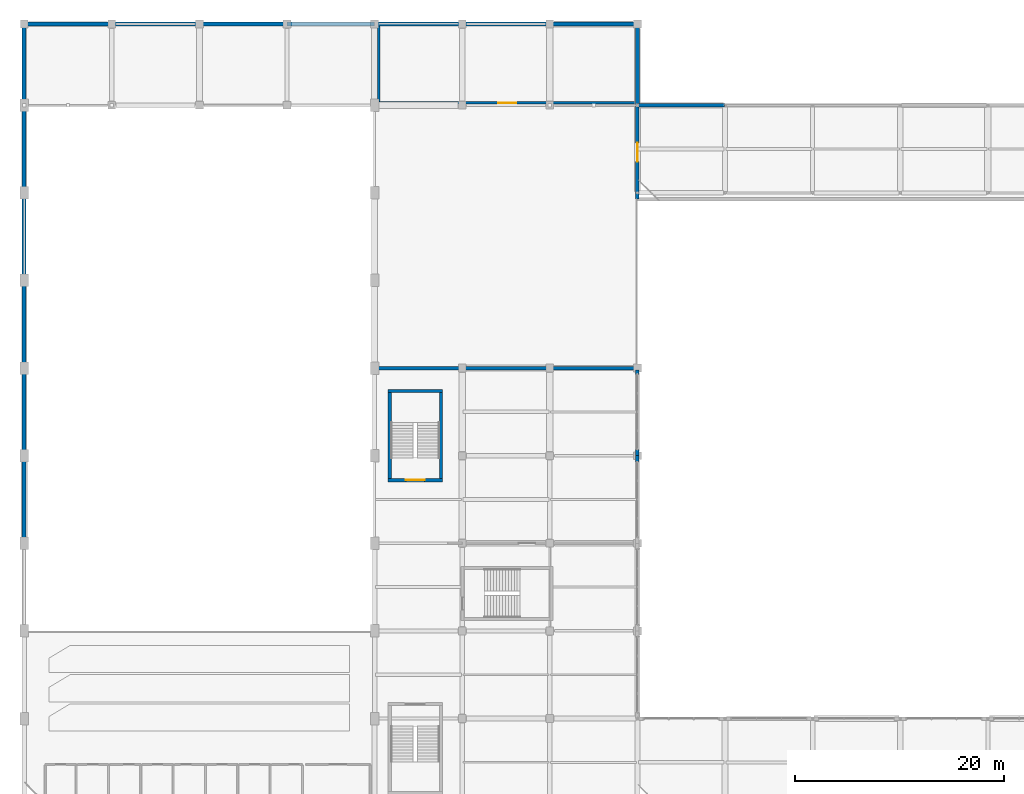
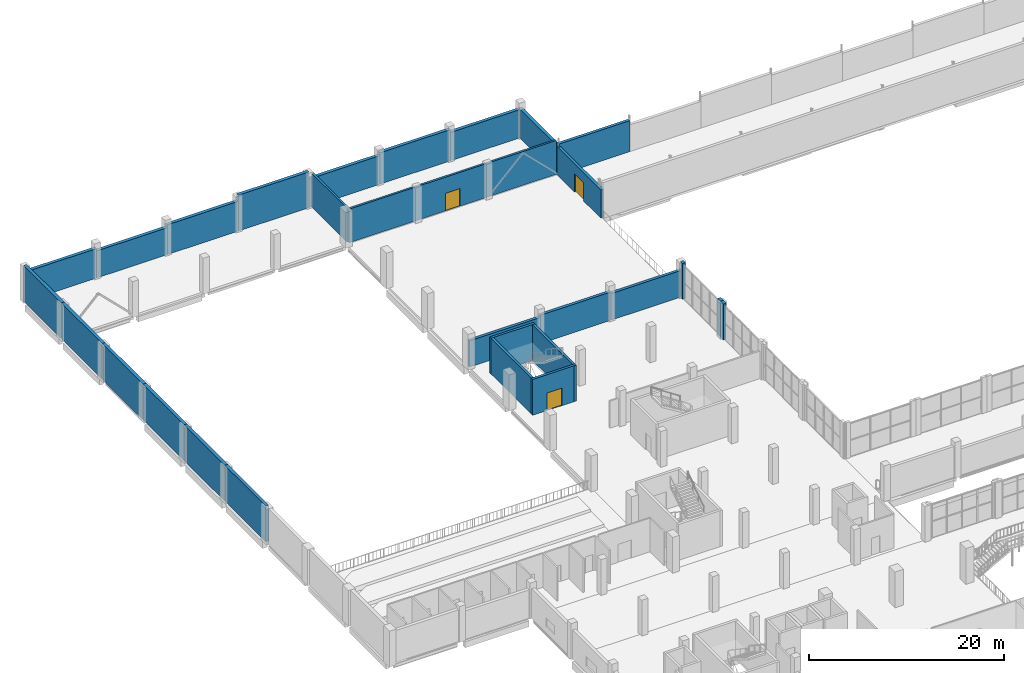
# One storey, part 61 of 75: 28 walls, 3 doors, 3 openings.
"""IFC4 building model written with IfcOpenShell, lengths in metres."""

from ifc_helpers import new_model, si_unit, derived_unit, direction, frame, frame_2d, origin, place, context, subcontext, project, spatial, rectangle, extrude, material, layer, layer_set, type_object, element, fill, save


model = new_model("IFC4")

# Units and contexts
model_context = context("Model", 3, precision=1e-05, world=origin(), true_north=direction((0.0, 1.0)))
body_context = subcontext(model_context, "Body", "Model", "MODEL_VIEW")
ifc_project = project(units=[si_unit("LENGTHUNIT", "METRE"), si_unit("AREAUNIT", "SQUARE_METRE"), si_unit("VOLUMEUNIT", "CUBIC_METRE"), si_unit("PLANEANGLEUNIT", "RADIAN"), si_unit("MASSUNIT", "GRAM", prefix="KILO"), derived_unit("THERMALTRANSMITTANCEUNIT", [(si_unit("POWERUNIT", "WATT"), 1), (si_unit("LENGTHUNIT", "METRE"), -2), (si_unit("THERMODYNAMICTEMPERATUREUNIT", "KELVIN"), -1)])], contexts=[model_context])

# Site, building, storey
site_placement = place(None, origin())
site = spatial("IfcSite", under=ifc_project, at=site_placement, CompositionType="ELEMENT")
building_placement = place(site_placement, origin())
building = spatial("IfcBuilding", under=site, at=building_placement, Name="Barrovel Congress Hotel", CompositionType="ELEMENT")
storey_placement = place(building_placement, frame((0.0, 0.0, 5.39990234375)))
storey = spatial("IfcBuildingStorey", under=building, at=storey_placement, Name="L01", CompositionType="ELEMENT", Elevation=5.39990234375)

# Walls
ifc_material_1 = material(Name="Fired Clay Brick Masonry", Category="masonry")
ifc_layer_1 = layer(ifc_material_1, 0.340087890625)
ifc_layer_set_1 = layer_set([ifc_layer_1], Name="Fired Clay Brick Masonry")
wall_type_1 = type_object("IfcWallType", Name="EW-BRK340", PredefinedType="STANDARD", material=ifc_layer_set_1)
wall_1_placement = place(storey_placement, frame((58.800048828125, 70.800048828125, 0.0), z_axis=(0.0, 0.0, 1.0), x_axis=(0.0, 1.0, 0.0)))
element("IfcWall", 1, at=wall_1_placement, inside=storey, type_object=wall_type_1, Name="EW:L01:CWJ-B:63.0", PredefinedType="STANDARD", context=body_context, shape_type="SweptSolid", body=[
    extrude(rectangle(XDim=0.599853515625, YDim=0.340087890625, at=frame_2d((0.2998046875, 0.0))), origin(), (0.0, 0.0, 1.0), 4.5),
])
wall_2_placement = place(storey_placement, frame((58.800048828125, 71.39990234375, 0.0), z_axis=(0.0, 0.0, 1.0), x_axis=(0.0, 1.0, 0.0)))
element("IfcWall", 2, at=wall_2_placement, inside=storey, type_object=wall_type_1, Name="EW:L01:CWJ-A:71.4", PredefinedType="STANDARD", context=body_context, shape_type="SweptSolid", body=[
    extrude(rectangle(XDim=0.60009765625, YDim=0.340087890625, at=frame_2d((0.300048828125, 0.0))), origin(), (0.0, 0.0, 1.0), 4.5),
])
wall_3_placement = place(storey_placement, frame((58.800048828125, 79.199951171875, 0.0), z_axis=(0.0, 0.0, 1.0), x_axis=(0.0, 1.0, 0.0)))
element("IfcWall", 3, at=wall_3_placement, inside=storey, type_object=wall_type_1, Name="EW:L01:CWJ-B:71.4", PredefinedType="STANDARD", context=body_context, shape_type="SweptSolid", body=[
    extrude(rectangle(XDim=0.429931640625, YDim=0.340087890625, at=frame_2d((0.21484375, 0.0))), origin(), (0.0, 0.0, 1.0), 4.5),
])
wall_4_placement = place(storey_placement, frame((58.800048828125, 79.800048828125, 0.0), z_axis=(0.0, 0.0, 1.0), x_axis=(-1.0, 0.0, 0.0)))
element("IfcWall", 4, at=wall_4_placement, inside=storey, type_object=wall_type_1, Name="EW:L01:FOYN", PredefinedType="STANDARD", context=body_context, shape_type="SweptSolid", body=[
    extrude(rectangle(XDim=8.400146484375, YDim=0.340087890625, at=frame_2d((4.2001953125, 0.0))), origin(), (0.0, 0.0, 1.0), 3.340087890625),
])

# Wall, opening, door
wall_5_placement = place(storey_placement, frame((58.800048828125, 105.0, 0.0), z_axis=(0.0, 0.0, 1.0), x_axis=(0.0, -1.0, 0.0)))
wall_5 = element("IfcWall", 5, at=wall_5_placement, inside=storey, type_object=wall_type_1, Name="EW:L01:NPV-W", PredefinedType="STANDARD", context=body_context, shape_type="SweptSolid", body=[
    extrude(rectangle(XDim=9.0, YDim=0.340087890625, at=frame_2d((4.5, 0.0))), origin(), (0.0, 0.0, 1.0), 3.5400390625),
])
opening_1_placement = place(wall_5_placement, frame((3.60009765625, 0.0, 0.0)))
opening_1 = element("IfcOpeningElement", 6, at=opening_1_placement, cuts=wall_5, Name="Opening ED-03", PredefinedType="OPENING", context=body_context, shape_type="SweptSolid", body=[
    extrude(rectangle(XDim=1.800048828125, YDim=2.300048828125, at=frame_2d((0.89990234375, 1.14990234375))), frame((0.0, 0.18017578125, 0.0), z_axis=(0.0, -1.0, 0.0), x_axis=(1.0, 0.0, 0.0)), (0.0, 0.0, 1.0), 0.360107421875),
])
ifc_material_2 = material(Name="Anodised Aluminium Glazed Door", Category="aluminium")
door_type_1 = type_object("IfcDoorType", Name="EDR-ED-03", OperationType="NOTDEFINED", PredefinedType="DOOR", material=ifc_material_2)
door_1_placement = place(opening_1_placement, origin())
door_1 = element("IfcDoor", 7, at=door_1_placement, inside=storey, type_object=door_type_1, Name="L01 North Pavilion West Link Door", OperationType="DOUBLE_DOOR_SINGLE_SWING", OverallHeight=2.300048828125, OverallWidth=1.800048828125, PredefinedType="DOOR", context=body_context, shape_type="SweptSolid", body=[
    extrude(rectangle(XDim=1.800048828125, YDim=2.300048828125, at=frame_2d((0.89990234375, 1.14990234375))), frame((0.0, 0.02490234375, 0.0), z_axis=(0.0, -1.0, 0.0), x_axis=(1.0, 0.0, 0.0)), (0.0, 0.0, 1.0), 0.050048828125),
])
fill(opening_1, door_1)

# Walls
wall_6_placement = place(storey_placement, frame((50.39990234375, 79.800048828125, 0.0), z_axis=(0.0, 0.0, 1.0), x_axis=(-1.0, 0.0, 0.0)))
element("IfcWall", 8, at=wall_6_placement, inside=storey, type_object=wall_type_1, Name="EW:L01:FOYN:P02", PredefinedType="STANDARD", context=body_context, shape_type="SweptSolid", body=[
    extrude(rectangle(XDim=8.39990234375, YDim=0.340087890625, at=frame_2d((4.199951171875, 0.0))), origin(), (0.0, 0.0, 1.0), 3.55615234375),
])
wall_7_placement = place(storey_placement, frame((42.0, 79.800048828125, 0.0), z_axis=(0.0, 0.0, 1.0), x_axis=(-1.0, 0.0, 0.0)))
element("IfcWall", 9, at=wall_7_placement, inside=storey, type_object=wall_type_1, Name="EW:L01:FOYN:P03", PredefinedType="STANDARD", context=body_context, shape_type="SweptSolid", body=[
    extrude(rectangle(XDim=8.39990234375, YDim=0.340087890625, at=frame_2d((4.199951171875, 0.0))), origin(), (0.0, 0.0, 1.0), 3.2900390625),
])
wall_8_placement = place(storey_placement, frame((67.2001953125, 105.0, 0.0), z_axis=(0.0, 0.0, 1.0), x_axis=(-1.0, 0.0, 0.0)))
element("IfcWall", 10, at=wall_8_placement, inside=storey, type_object=wall_type_1, Name="EW:L01:NPV-N:P08", PredefinedType="STANDARD", context=body_context, shape_type="SweptSolid", body=[
    extrude(rectangle(XDim=8.400146484375, YDim=0.340087890625, at=frame_2d((4.2001953125, 0.0))), origin(), (0.0, 0.0, 1.0), 3.885986328125),
])
ifc_layer_2 = layer(ifc_material_1, 0.3798828125)
ifc_layer_set_2 = layer_set([ifc_layer_2], Name="Fired Clay Brick Masonry")
wall_type_2 = type_object("IfcWallType", Name="EW-BRK380", PredefinedType="STANDARD", material=ifc_layer_set_2)
wall_9_placement = place(storey_placement, frame((58.800048828125, 112.800048828125, 0.0), z_axis=(0.0, 0.0, 1.0), x_axis=(-1.0, 0.0, 0.0)))
element("IfcWall", 11, at=wall_9_placement, inside=storey, type_object=wall_type_2, Name="EW:L01:DOCKN:6", PredefinedType="STANDARD", context=body_context, shape_type="SweptSolid", body=[
    extrude(rectangle(XDim=8.400146484375, YDim=0.3798828125, at=frame_2d((4.2001953125, 0.0))), origin(), (0.0, 0.0, 1.0), 3.55615234375),
])
wall_10_placement = place(storey_placement, frame((50.39990234375, 112.800048828125, 0.0), z_axis=(0.0, 0.0, 1.0), x_axis=(-1.0, 0.0, 0.0)))
element("IfcWall", 12, at=wall_10_placement, inside=storey, type_object=wall_type_2, Name="EW:L01:DOCKN:5", PredefinedType="STANDARD", context=body_context, shape_type="SweptSolid", body=[
    extrude(rectangle(XDim=8.39990234375, YDim=0.3798828125, at=frame_2d((4.199951171875, 0.0))), origin(), (0.0, 0.0, 1.0), 3.935302734375),
])
wall_11_placement = place(storey_placement, frame((42.0, 112.800048828125, 0.0), z_axis=(0.0, 0.0, 1.0), x_axis=(-1.0, 0.0, 0.0)))
element("IfcWall", 13, at=wall_11_placement, inside=storey, type_object=wall_type_2, Name="EW:L01:DOCKN:4", PredefinedType="STANDARD", context=body_context, shape_type="SweptSolid", body=[
    extrude(rectangle(XDim=8.39990234375, YDim=0.3798828125, at=frame_2d((4.199951171875, 0.0))), origin(), (0.0, 0.0, 1.0), 3.590087890625),
])
wall_12_placement = place(storey_placement, frame((33.60009765625, 112.800048828125, 0.0), z_axis=(0.0, 0.0, 1.0), x_axis=(-1.0, 0.0, 0.0)))
element("IfcWall", 14, at=wall_12_placement, inside=storey, type_object=wall_type_2, Name="EW:L01:DOCKN:3", PredefinedType="STANDARD", context=body_context, shape_type="SweptSolid", body=[
    extrude(rectangle(XDim=8.400146484375, YDim=0.3798828125, at=frame_2d((4.2001953125, 0.0))), origin(), (0.0, 0.0, 1.0), 4.5),
])
wall_13_placement = place(storey_placement, frame((25.199951171875, 112.800048828125, 0.0), z_axis=(0.0, 0.0, 1.0), x_axis=(-1.0, 0.0, 0.0)))
element("IfcWall", 15, at=wall_13_placement, inside=storey, type_object=wall_type_2, Name="EW:L01:DOCKN:2", PredefinedType="STANDARD", context=body_context, shape_type="SweptSolid", body=[
    extrude(rectangle(XDim=8.39990234375, YDim=0.3798828125, at=frame_2d((4.199951171875, 0.0))), origin(), (0.0, 0.0, 1.0), 3.739990234375),
])
wall_14_placement = place(storey_placement, frame((16.800048828125, 112.800048828125, 0.0), z_axis=(0.0, 0.0, 1.0), x_axis=(-1.0, 0.0, 0.0)))
element("IfcWall", 16, at=wall_14_placement, inside=storey, type_object=wall_type_2, Name="EW:L01:DOCKN:1", PredefinedType="STANDARD", context=body_context, shape_type="SweptSolid", body=[
    extrude(rectangle(XDim=8.400146484375, YDim=0.3798828125, at=frame_2d((4.2001953125, 0.0))), origin(), (0.0, 0.0, 1.0), 3.39013671875),
])
wall_15_placement = place(storey_placement, frame((8.39990234375, 112.800048828125, 0.0), z_axis=(0.0, 0.0, 1.0), x_axis=(-1.0, 0.0, 0.0)))
element("IfcWall", 17, at=wall_15_placement, inside=storey, type_object=wall_type_2, Name="EW:L01:DOCKN:0", PredefinedType="STANDARD", context=body_context, shape_type="SweptSolid", body=[
    extrude(rectangle(XDim=8.39990234375, YDim=0.3798828125, at=frame_2d((4.199951171875, 0.0))), origin(), (0.0, 0.0, 1.0), 3.711181640625),
])
wall_16_placement = place(storey_placement, frame((58.800048828125, 105.0, 0.0), z_axis=(0.0, 0.0, 1.0), x_axis=(0.0, 1.0, 0.0)))
element("IfcWall", 18, at=wall_16_placement, inside=storey, type_object=wall_type_2, Name="EW:L01:DOCKE", PredefinedType="STANDARD", context=body_context, shape_type="SweptSolid", body=[
    extrude(rectangle(XDim=7.800048828125, YDim=0.3798828125, at=frame_2d((3.89990234375, 0.0))), origin(), (0.0, 0.0, 1.0), 3.64013671875),
])
wall_17_placement = place(storey_placement, frame((0.0, 112.800048828125, 0.0), z_axis=(0.0, 0.0, 1.0), x_axis=(0.0, -1.0, 0.0)))
element("IfcWall", 19, at=wall_17_placement, inside=storey, type_object=wall_type_2, Name="EW:L01:V1W:105.0", PredefinedType="STANDARD", context=body_context, shape_type="SweptSolid", body=[
    extrude(rectangle(XDim=7.800048828125, YDim=0.3798828125, at=frame_2d((3.89990234375, 0.0))), origin(), (0.0, 0.0, 1.0), 4.5),
])
wall_18_placement = place(storey_placement, frame((0.0, 105.0, 0.0), z_axis=(0.0, 0.0, 1.0), x_axis=(0.0, -1.0, 0.0)))
element("IfcWall", 20, at=wall_18_placement, inside=storey, type_object=wall_type_2, Name="EW:L01:V1W:96.6", PredefinedType="STANDARD", context=body_context, shape_type="SweptSolid", body=[
    extrude(rectangle(XDim=8.39990234375, YDim=0.3798828125, at=frame_2d((4.199951171875, 0.0))), origin(), (0.0, 0.0, 1.0), 4.5),
])
wall_19_placement = place(storey_placement, frame((0.0, 96.60009765625, 0.0), z_axis=(0.0, 0.0, 1.0), x_axis=(0.0, -1.0, 0.0)))
element("IfcWall", 21, at=wall_19_placement, inside=storey, type_object=wall_type_2, Name="EW:L01:V1W:88.2", PredefinedType="STANDARD", context=body_context, shape_type="SweptSolid", body=[
    extrude(rectangle(XDim=8.400146484375, YDim=0.3798828125, at=frame_2d((4.2001953125, 0.0))), origin(), (0.0, 0.0, 1.0), 4.5),
])
wall_20_placement = place(storey_placement, frame((0.0, 88.199951171875, 0.0), z_axis=(0.0, 0.0, 1.0), x_axis=(0.0, -1.0, 0.0)))
element("IfcWall", 22, at=wall_20_placement, inside=storey, type_object=wall_type_2, Name="EW:L01:V1W:79.8", PredefinedType="STANDARD", context=body_context, shape_type="SweptSolid", body=[
    extrude(rectangle(XDim=8.39990234375, YDim=0.3798828125, at=frame_2d((4.199951171875, 0.0))), origin(), (0.0, 0.0, 1.0), 4.5),
])
wall_21_placement = place(storey_placement, frame((0.0, 79.800048828125, 0.0), z_axis=(0.0, 0.0, 1.0), x_axis=(0.0, -1.0, 0.0)))
element("IfcWall", 23, at=wall_21_placement, inside=storey, type_object=wall_type_2, Name="EW:L01:V1W:71.4", PredefinedType="STANDARD", context=body_context, shape_type="SweptSolid", body=[
    extrude(rectangle(XDim=8.400146484375, YDim=0.3798828125, at=frame_2d((4.2001953125, 0.0))), origin(), (0.0, 0.0, 1.0), 4.5),
])
wall_22_placement = place(storey_placement, frame((0.0, 71.39990234375, 0.0), z_axis=(0.0, 0.0, 1.0), x_axis=(0.0, -1.0, 0.0)))
element("IfcWall", 24, at=wall_22_placement, inside=storey, type_object=wall_type_2, Name="EW:L01:V1W:63.0", PredefinedType="STANDARD", context=body_context, shape_type="SweptSolid", body=[
    extrude(rectangle(XDim=8.39990234375, YDim=0.3798828125, at=frame_2d((4.199951171875, 0.0))), origin(), (0.0, 0.0, 1.0), 4.5),
])

# Wall, opening, door
ifc_layer_3 = layer(ifc_material_1, 0.239990234375)
ifc_layer_set_3 = layer_set([ifc_layer_3], Name="Fired Clay Brick Masonry")
wall_type_3 = type_object("IfcWallType", Name="PW-MAS-240", PredefinedType="PARTITIONING", material=ifc_layer_set_3)
wall_23_placement = place(storey_placement, frame((34.02001953125, 105.219970703125, 0.0), z_axis=(0.0, 0.0, 1.0), x_axis=(1.0, 0.0, 0.0)))
wall_23 = element("IfcWall", 25, at=wall_23_placement, inside=storey, type_object=wall_type_3, Name="RW:SP:L01:TECH-D:S", PredefinedType="PARTITIONING", context=body_context, shape_type="SweptSolid", body=[
    extrude(rectangle(XDim=24.590087890625, YDim=0.239990234375, at=frame_2d((12.294921875, 0.0))), origin(), (0.0, 0.0, 1.0), 4.235107421875),
])
opening_2_placement = place(wall_23_placement, frame((11.445068359375, 0.0, 0.0)))
opening_2 = element("IfcOpeningElement", 26, at=opening_2_placement, cuts=wall_23, Name="Opening ID-KIT", PredefinedType="OPENING", context=body_context, shape_type="SweptSolid", body=[
    extrude(rectangle(XDim=1.699951171875, YDim=2.199951171875, at=frame_2d((0.85009765625, 1.10009765625))), frame((0.0, 0.1298828125, 0.0), z_axis=(0.0, -1.0, 0.0), x_axis=(1.0, 0.0, 0.0)), (0.0, 0.0, 1.0), 0.260009765625),
])
ifc_material_3 = material(Name="Brushed Stainless Steel", Category="steel")
door_type_2 = type_object("IfcDoorType", Name="IDR-ID-KIT", OperationType="NOTDEFINED", PredefinedType="DOOR", material=ifc_material_3)
door_2_placement = place(opening_2_placement, origin())
door_2 = element("IfcDoor", 27, at=door_2_placement, inside=storey, type_object=door_type_2, Name="RD:SP:L01:TECH-D", OperationType="DOUBLE_DOOR_SINGLE_SWING", OverallHeight=2.199951171875, OverallWidth=1.699951171875, PredefinedType="DOOR", context=body_context, shape_type="SweptSolid", body=[
    extrude(rectangle(XDim=1.699951171875, YDim=2.199951171875, at=frame_2d((0.85009765625, 1.10009765625))), frame((0.0, 0.02490234375, 0.0), z_axis=(0.0, -1.0, 0.0), x_axis=(1.0, 0.0, 0.0)), (0.0, 0.0, 1.0), 0.050048828125),
])
fill(opening_2, door_2)

# Wall
wall_24_placement = place(storey_placement, frame((34.02001953125, 105.340087890625, 0.0), z_axis=(0.0, 0.0, 1.0), x_axis=(0.0, 1.0, 0.0)))
element("IfcWall", 28, at=wall_24_placement, inside=storey, type_object=wall_type_3, Name="RW:SP:L01:TECH-D:W", PredefinedType="PARTITIONING", context=body_context, shape_type="SweptSolid", body=[
    extrude(rectangle(XDim=7.27001953125, YDim=0.239990234375, at=frame_2d((3.635009765625, 0.0))), origin(), (0.0, 0.0, 1.0), 4.235107421875),
])

# Wall, opening, door
ifc_material_4 = material(Name="Concrete C40", Category="concrete")
ifc_layer_4 = layer(ifc_material_4, 0.300048828125)
ifc_layer_set_4 = layer_set([ifc_layer_4], Name="Concrete C40")
wall_type_4 = type_object("IfcWallType", Name="SW-C40-300", PredefinedType="SHEAR", material=ifc_layer_set_4)
wall_25_placement = place(storey_placement, frame((34.89990234375, 69.050048828125, 0.0), z_axis=(0.0, 0.0, 1.0), x_axis=(1.0, 0.0, 0.0)))
wall_25 = element("IfcWall", 29, at=wall_25_placement, inside=storey, type_object=wall_type_4, Name="SHW:XS-07:L01:S", PredefinedType="SHEAR", context=body_context, shape_type="SweptSolid", body=[
    extrude(rectangle(XDim=5.2001953125, YDim=0.300048828125, at=frame_2d((2.60009765625, 0.0))), origin(), (0.0, 0.0, 1.0), 4.5),
])
opening_3_placement = place(wall_25_placement, frame((1.699951171875, 0.0, 0.0)))
opening_3 = element("IfcOpeningElement", 30, at=opening_3_placement, cuts=wall_25, Name="Opening ID-ST2", PredefinedType="OPENING", context=body_context, shape_type="SweptSolid", body=[
    extrude(rectangle(XDim=1.800048828125, YDim=2.199951171875, at=frame_2d((0.89990234375, 1.10009765625))), frame((0.0, 0.16015625, 0.0), z_axis=(0.0, -1.0, 0.0), x_axis=(1.0, 0.0, 0.0)), (0.0, 0.0, 1.0), 0.320068359375),
])
ifc_material_5 = material(Name="Painted Hollow-Metal Steel Door", Category="steel")
door_type_3 = type_object("IfcDoorType", Name="IDR-ID-ST2", OperationType="NOTDEFINED", PredefinedType="DOOR", material=ifc_material_5)
door_3_placement = place(opening_3_placement, origin())
door_3 = element("IfcDoor", 31, at=door_3_placement, inside=storey, type_object=door_type_3, Name="Stair Core Fire Door XS-07-L01", OperationType="DOUBLE_DOOR_SINGLE_SWING", OverallHeight=2.199951171875, OverallWidth=1.800048828125, PredefinedType="DOOR", context=body_context, shape_type="SweptSolid", body=[
    extrude(rectangle(XDim=1.800048828125, YDim=2.199951171875, at=frame_2d((0.89990234375, 1.10009765625))), frame((0.0, 0.02490234375, 0.0), z_axis=(0.0, -1.0, 0.0), x_axis=(1.0, 0.0, 0.0)), (0.0, 0.0, 1.0), 0.050048828125),
])
fill(opening_3, door_3)

# Walls
wall_26_placement = place(storey_placement, frame((39.949951171875, 68.89990234375, 0.0), z_axis=(0.0, 0.0, 1.0), x_axis=(0.0, 1.0, 0.0)))
element("IfcWall", 32, at=wall_26_placement, inside=storey, type_object=wall_type_4, Name="SHW:XS-07:L01:E", PredefinedType="SHEAR", context=body_context, shape_type="SweptSolid", body=[
    extrude(rectangle(XDim=8.840087890625, YDim=0.300048828125, at=frame_2d((4.419921875, 0.0))), origin(), (0.0, 0.0, 1.0), 4.5),
])
wall_27_placement = place(storey_placement, frame((40.10009765625, 77.590087890625, 0.0), z_axis=(0.0, 0.0, 1.0), x_axis=(-1.0, 0.0, 0.0)))
element("IfcWall", 33, at=wall_27_placement, inside=storey, type_object=wall_type_4, Name="SHW:XS-07:L01:N", PredefinedType="SHEAR", context=body_context, shape_type="SweptSolid", body=[
    extrude(rectangle(XDim=5.2001953125, YDim=0.300048828125, at=frame_2d((2.60009765625, 0.0))), origin(), (0.0, 0.0, 1.0), 4.5),
])
wall_28_placement = place(storey_placement, frame((35.050048828125, 77.739990234375, 0.0), z_axis=(0.0, 0.0, 1.0), x_axis=(0.0, -1.0, 0.0)))
element("IfcWall", 34, at=wall_28_placement, inside=storey, type_object=wall_type_4, Name="SHW:XS-07:L01:W", PredefinedType="SHEAR", context=body_context, shape_type="SweptSolid", body=[
    extrude(rectangle(XDim=8.840087890625, YDim=0.300048828125, at=frame_2d((4.419921875, 0.0))), origin(), (0.0, 0.0, 1.0), 4.5),
])

save(model, "model.ifc")
